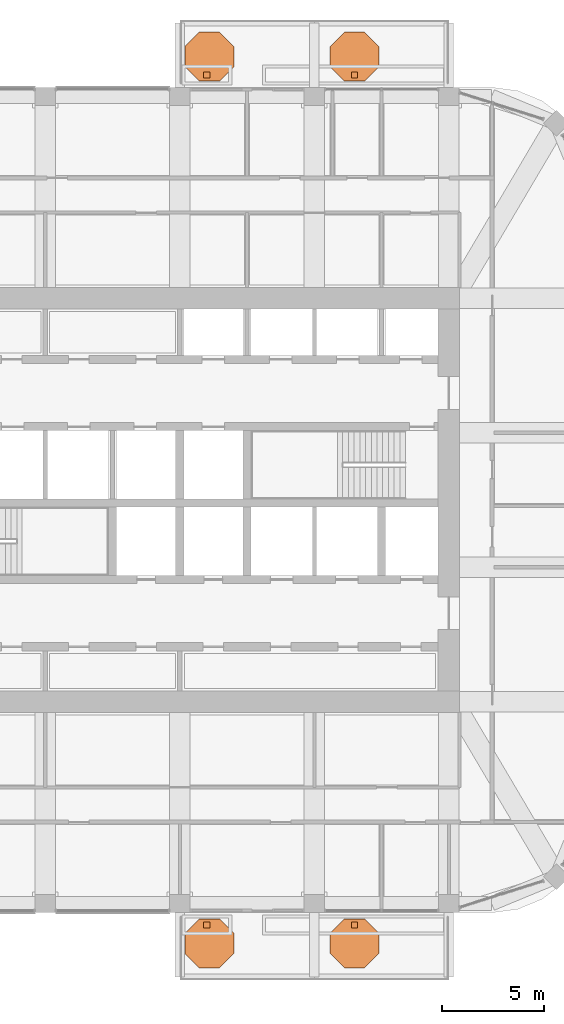
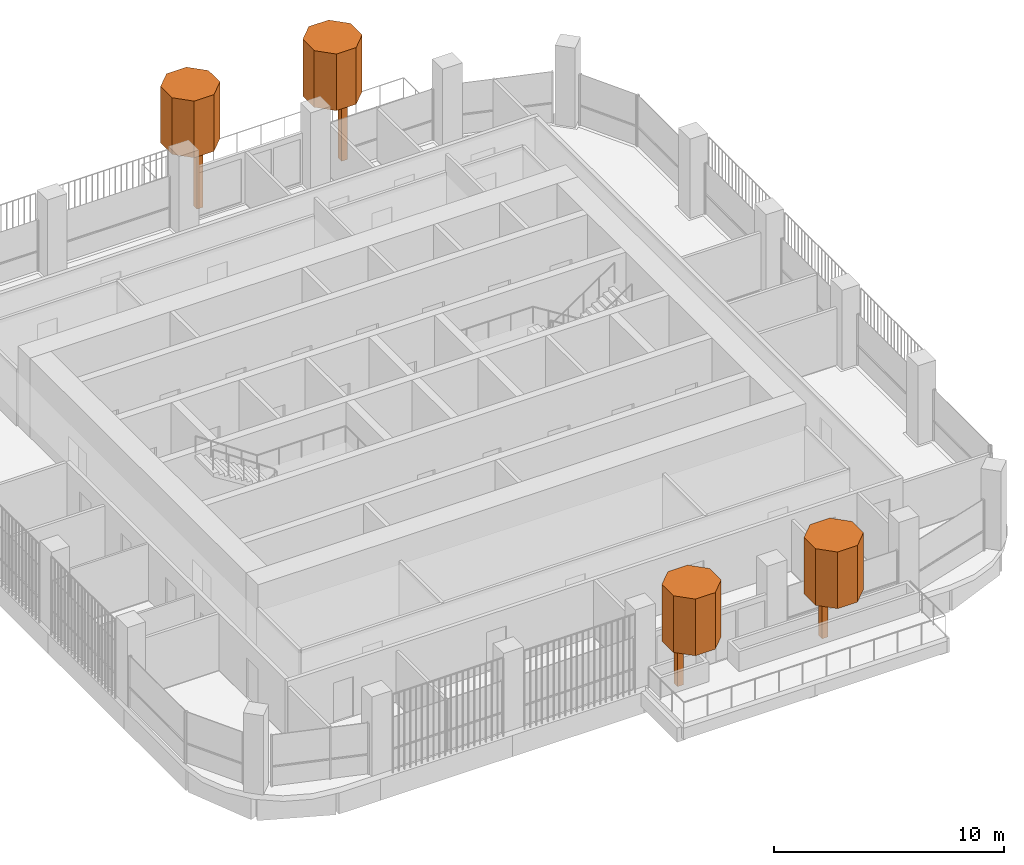
# One storey, part 21 of 21: 8 geographic elements.
"""IFC4 building model written with IfcOpenShell, lengths in metres."""

from ifc_helpers import new_model, si_unit, direction, frame, origin, origin_2d, place, context, subcontext, project, spatial, polyline, rectangle, outline, extrude, material, type_object, element, save


model = new_model("IFC4")

# Units and contexts
model_context = context("Model", 3, precision=1e-05, world=origin(), true_north=direction((0.0, 1.0)))
body_context = subcontext(model_context, "Body", "Model", "MODEL_VIEW")
ifc_project = project(units=[si_unit("LENGTHUNIT", "METRE"), si_unit("AREAUNIT", "SQUARE_METRE"), si_unit("VOLUMEUNIT", "CUBIC_METRE"), si_unit("PLANEANGLEUNIT", "RADIAN"), si_unit("MASSUNIT", "GRAM", prefix="KILO")], contexts=[model_context])

# Site, building, storey
site_placement = place(None, origin())
site = spatial("IfcSite", under=ifc_project, at=site_placement, CompositionType="ELEMENT")
building_placement = place(site_placement, origin())
building = spatial("IfcBuilding", under=site, at=building_placement, Name="Cobogo Forest Laboratory Tower", CompositionType="ELEMENT")
storey_placement = place(building_placement, frame((0.0, 0.0, 283.800048828125)))
storey = spatial("IfcBuildingStorey", under=building, at=storey_placement, Name="L65", CompositionType="ELEMENT", Elevation=283.800048828125)

# Geographic elements
ifc_material = material(Name="Planting", Category="plant")
geographic_element_type_1 = type_object("IfcGeographicElementType", Name="Tree trunk 300", PredefinedType="USERDEFINED", material=ifc_material)
for number, where, z_axis, x_axis, name in (
    (1, (27.72509765625, 2.25, 0.0), (0.0, 0.0, 1.0), (1.0, 0.0, 0.0), "Tree trunk BAL-S1-PL1 L65"),
    (2, (34.97509765625, 2.25, 0.0), (0.0, 0.0, 1.0), (1.0, 0.0, 0.0), "Tree trunk BAL-S1-PL2 L65"),
    (3, (27.72509765625, 43.949951171875, 0.0), (0.0, 0.0, 1.0), (1.0, 0.0, 0.0), "Tree trunk BAL-N1-PL1 L65"),
    (4, (34.97509765625, 43.949951171875, 0.0), (0.0, 0.0, 1.0), (1.0, 0.0, 0.0), "Tree trunk BAL-N1-PL2 L65"),
):
    element("IfcGeographicElement", number, at=place(storey_placement, frame(where, z_axis=z_axis, x_axis=x_axis)), inside=storey, type_object=geographic_element_type_1, Name=name, ObjectType="TREE TRUNK", PredefinedType="USERDEFINED", context=body_context, shape_type="SweptSolid", body=[
        extrude(rectangle(XDim=0.300048828125, YDim=0.300048828125, at=origin_2d()), origin(), (0.0, 0.0, 1.0), 2.89990234375),
    ])
geographic_element_type_2 = type_object("IfcGeographicElementType", Name="Tree, holm oak 5 m", PredefinedType="USERDEFINED", material=ifc_material)
geographic_element_1_placement = place(storey_placement, frame((0.0, 0.0, 2.89990234375)))
element("IfcGeographicElement", 5, at=geographic_element_1_placement, inside=storey, type_object=geographic_element_type_2, Name="Holm tree BAL-S1-PL1 L65", ObjectType="TREE", PredefinedType="USERDEFINED", context=body_context, shape_type="SweptSolid", body=[
    extrude(outline(polyline([(29.050048828125, 0.85302734375), (29.050048828125, 1.84716796875), (28.34716796875, 2.550048828125), (27.35302734375, 2.550048828125), (26.64990234375, 1.84716796875), (26.64990234375, 0.85302734375), (27.35302734375, 0.14990234375), (28.34716796875, 0.14990234375), (29.050048828125, 0.85302734375)])), origin(), (0.0, 0.0, 1.0), 3.0),
])
geographic_element_2_placement = place(storey_placement, frame((0.0, 0.0, 2.89990234375)))
element("IfcGeographicElement", 6, at=geographic_element_2_placement, inside=storey, type_object=geographic_element_type_2, Name="Holm tree BAL-S1-PL2 L65", ObjectType="TREE", PredefinedType="USERDEFINED", context=body_context, shape_type="SweptSolid", body=[
    extrude(outline(polyline([(36.175048828125, 0.85302734375), (36.175048828125, 1.84716796875), (35.47216796875, 2.550048828125), (34.47802734375, 2.550048828125), (33.77490234375, 1.84716796875), (33.77490234375, 0.85302734375), (34.47802734375, 0.14990234375), (35.47216796875, 0.14990234375), (36.175048828125, 0.85302734375)])), origin(), (0.0, 0.0, 1.0), 3.0),
])
geographic_element_3_placement = place(storey_placement, frame((0.0, 0.0, 2.89990234375)))
element("IfcGeographicElement", 7, at=geographic_element_3_placement, inside=storey, type_object=geographic_element_type_2, Name="Holm tree BAL-N1-PL1 L65", ObjectType="TREE", PredefinedType="USERDEFINED", context=body_context, shape_type="SweptSolid", body=[
    extrude(outline(polyline([(29.050048828125, 44.35302734375), (29.050048828125, 45.34716796875), (28.34716796875, 46.050048828125), (27.35302734375, 46.050048828125), (26.64990234375, 45.34716796875), (26.64990234375, 44.35302734375), (27.35302734375, 43.64990234375), (28.34716796875, 43.64990234375), (29.050048828125, 44.35302734375)])), origin(), (0.0, 0.0, 1.0), 3.0),
])
geographic_element_4_placement = place(storey_placement, frame((0.0, 0.0, 2.89990234375)))
element("IfcGeographicElement", 8, at=geographic_element_4_placement, inside=storey, type_object=geographic_element_type_2, Name="Holm tree BAL-N1-PL2 L65", ObjectType="TREE", PredefinedType="USERDEFINED", context=body_context, shape_type="SweptSolid", body=[
    extrude(outline(polyline([(36.175048828125, 44.35302734375), (36.175048828125, 45.34716796875), (35.47216796875, 46.050048828125), (34.47802734375, 46.050048828125), (33.77490234375, 45.34716796875), (33.77490234375, 44.35302734375), (34.47802734375, 43.64990234375), (35.47216796875, 43.64990234375), (36.175048828125, 44.35302734375)])), origin(), (0.0, 0.0, 1.0), 3.0),
])

save(model, "model.ifc")
